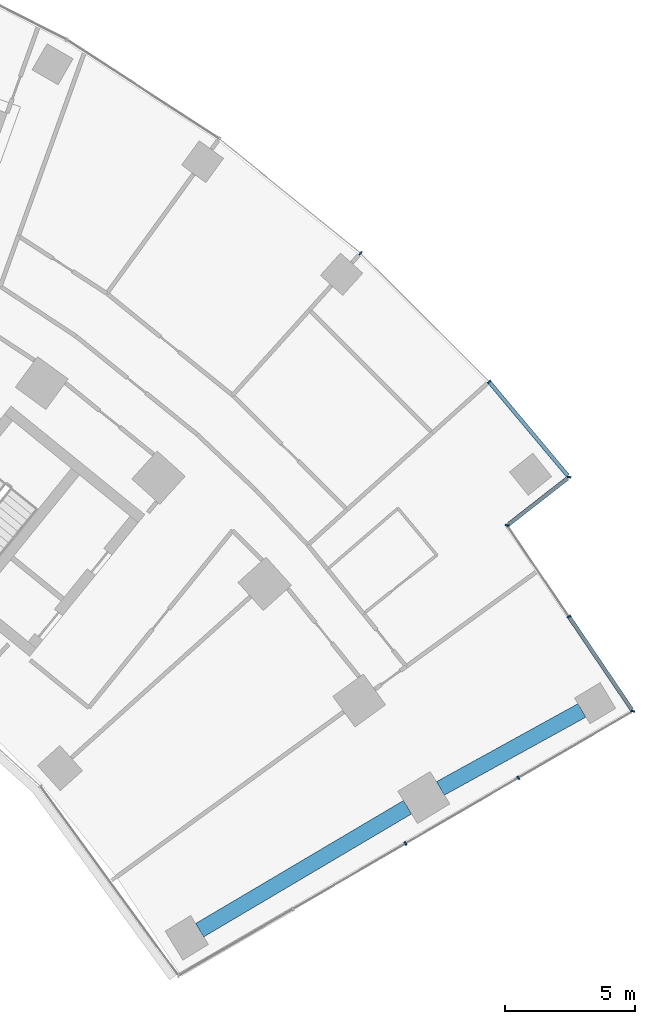
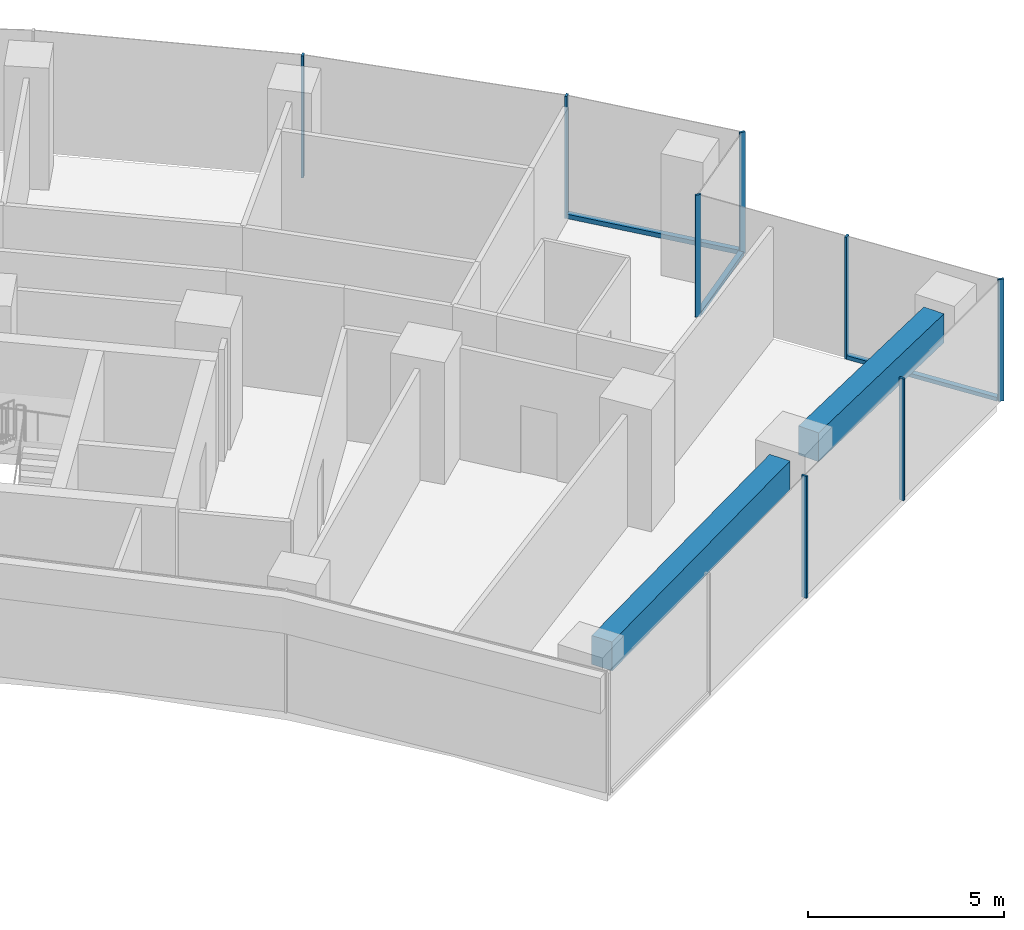
# One storey, part 8 of 20: 11 members, 2 beams, 4 elements without a shape of their own.
"""IFC4 building model written with IfcOpenShell, lengths in metres."""

from ifc_helpers import new_model, si_unit, direction, frame, origin, origin_2d, place, context, subcontext, project, spatial, rectangle, extrude, material, layer, layer_set, material_profile, profile_set, type_object, element, aggregate, save


model = new_model("IFC4")

# Units and contexts
model_context = context("Model", 3, precision=1e-05, world=origin(), true_north=direction((0.0, 1.0)))
body_context = subcontext(model_context, "Body", "Model", "MODEL_VIEW")
ifc_project = project(units=[si_unit("LENGTHUNIT", "METRE"), si_unit("AREAUNIT", "SQUARE_METRE"), si_unit("VOLUMEUNIT", "CUBIC_METRE"), si_unit("PLANEANGLEUNIT", "RADIAN"), si_unit("MASSUNIT", "GRAM", prefix="KILO")], contexts=[model_context])

# Site, building, storey
site_placement = place(None, origin())
site = spatial("IfcSite", under=ifc_project, at=site_placement, CompositionType="ELEMENT")
building_placement = place(site_placement, origin())
building = spatial("IfcBuilding", under=site, at=building_placement, Name="Stone Belt Terrace Tower", CompositionType="ELEMENT")
storey_placement = place(building_placement, frame((0.0, 0.0, 125.0)))
storey = spatial("IfcBuildingStorey", under=building, at=storey_placement, Name="L30", CompositionType="ELEMENT", Elevation=125.0)

# Curtain wall, members
ifc_material_1 = material(Name="Aluminium 6063-T6 anodised frame", Category="aluminium")
ifc_layer_1 = layer(ifc_material_1, 0.14990234375)
ifc_layer_set_1 = layer_set([ifc_layer_1], Name="CW-A unitised convex-face curtain wall")
curtain_wall_type_1 = type_object("IfcCurtainWallType", Name="CW-A unitised convex-face curtain wall", PredefinedType="NOTDEFINED", material=ifc_layer_set_1)
curtain_wall_1_placement = place(storey_placement, origin())
curtain_wall_1 = element("IfcCurtainWall", 1, at=curtain_wall_1_placement, inside=storey, type_object=curtain_wall_type_1, Name="CW-A convex face L30", PredefinedType="NOTDEFINED")
ifc_material_profile_1 = material_profile(ifc_material_1, rectangle(XDim=0.14990234375, YDim=0.06005859375, at=origin_2d()), Name="Aluminium 6063-T6 60x150")
ifc_profile_set_1 = profile_set([ifc_material_profile_1], Name="Aluminium 6063-T6 anodised frame")
member_type_1 = type_object("IfcMemberType", Name="CW-A mullion 60 x 150", PredefinedType="MULLION", material=ifc_profile_set_1)
member_1_placement = place(storey_placement, frame((52.539794921875, 40.89208984375, 0.0), z_axis=(0.0, 0.0, 1.0), x_axis=(-0.994464768622, 0.105070566623, 0.0)))
member_1 = element("IfcMember", 2, at=member_1_placement, type_object=member_type_1, Name="CW-A mullion 1", PredefinedType="MULLION", context=body_context, shape_type="SweptSolid", body=[
    extrude(rectangle(XDim=0.14990234375, YDim=0.06005859375, at=origin_2d()), origin(), (0.0, 0.0, 1.0), 3.800048828125),
])
member_2_placement = place(storey_placement, frame((49.474609375, 44.5478515625, 0.0), z_axis=(0.0, 0.0, 1.0), x_axis=(-0.737400080522, -0.675456231925, 0.0)))
member_2 = element("IfcMember", 3, at=member_2_placement, type_object=member_type_1, Name="CW-A mullion 2", PredefinedType="MULLION", context=body_context, shape_type="SweptSolid", body=[
    extrude(rectangle(XDim=0.14990234375, YDim=0.06005859375, at=origin_2d()), origin(), (0.0, 0.0, 1.0), 3.800048828125),
])
member_3_placement = place(storey_placement, frame((44.54736328125, 49.474853515625, 0.0), z_axis=(0.0, 0.0, 1.0), x_axis=(-0.669130606359, -0.743144825477, 0.0)))
member_3 = element("IfcMember", 4, at=member_3_placement, type_object=member_type_1, Name="CW-A mullion 3", PredefinedType="MULLION", context=body_context, shape_type="SweptSolid", body=[
    extrude(rectangle(XDim=0.14990234375, YDim=0.06005859375, at=origin_2d()), origin(), (0.0, 0.0, 1.0), 3.800048828125),
])
ifc_material_profile_2 = material_profile(ifc_material_1, rectangle(XDim=0.14990234375, YDim=0.139892578125, at=origin_2d()), Name="Aluminium 6063-T6 150x140")
ifc_profile_set_2 = profile_set([ifc_material_profile_2], Name="Aluminium 6063-T6 anodised frame")
member_type_2 = type_object("IfcMemberType", Name="CW-A transom 140 x 150", PredefinedType="USERDEFINED", material=ifc_profile_set_2)
member_4_placement = place(storey_placement, frame((52.49169921875, 40.949462890625, 0.070068359375), z_axis=(-0.642504178028, 0.766282181195, 0.0), x_axis=(-0.766282181195, -0.642504178028, 0.0)))
member_4 = element("IfcMember", 5, at=member_4_placement, type_object=member_type_2, Name="CW-A transom 1.1", ObjectType="TRANSOM", PredefinedType="USERDEFINED", context=body_context, shape_type="SweptSolid", body=[
    extrude(rectangle(XDim=0.14990234375, YDim=0.139892578125, at=origin_2d()), origin(), (0.0, 0.0, 1.0), 4.662841796875),
])
aggregate(curtain_wall_1, [member_1, member_2, member_3, member_4])

ifc_layer_2 = layer(ifc_material_1, 0.14990234375)
ifc_layer_set_2 = layer_set([ifc_layer_2], Name="CW-C stick curtain wall, horn ends and notches")
curtain_wall_type_2 = type_object("IfcCurtainWallType", Name="CW-C stick curtain wall, horn ends and notches", PredefinedType="NOTDEFINED", material=ifc_layer_set_2)
curtain_wall_2_placement = place(storey_placement, origin())
curtain_wall_2 = element("IfcCurtainWall", 6, at=curtain_wall_2_placement, inside=storey, type_object=curtain_wall_type_2, Name="CW-C end face L30", PredefinedType="NOTDEFINED")
ifc_material_profile_3 = material_profile(ifc_material_1, rectangle(XDim=0.14990234375, YDim=0.06005859375, at=origin_2d()), Name="Aluminium 6063-T6 60x150")
ifc_profile_set_3 = profile_set([ifc_material_profile_3], Name="Aluminium 6063-T6 anodised frame")
member_type_3 = type_object("IfcMemberType", Name="CW-C mullion 60 x 150", PredefinedType="MULLION", material=ifc_profile_set_3)
member_5_placement = place(storey_placement, frame((46.2744140625, 26.85009765625, 0.0), z_axis=(0.0, 0.0, 1.0), x_axis=(-0.503080901861, 0.864239322284, 0.0)))
member_5 = element("IfcMember", 7, at=member_5_placement, type_object=member_type_3, Name="CW-C mullion 3", PredefinedType="MULLION", context=body_context, shape_type="SweptSolid", body=[
    extrude(rectangle(XDim=0.14990234375, YDim=0.06005859375, at=origin_2d()), origin(), (0.0, 0.0, 1.0), 3.800048828125),
])
member_6_placement = place(storey_placement, frame((50.595703125, 29.365478515625, 0.0), z_axis=(0.0, 0.0, 1.0), x_axis=(-0.503080901861, 0.864239322284, 0.0)))
member_6 = element("IfcMember", 8, at=member_6_placement, type_object=member_type_3, Name="CW-C mullion 4", PredefinedType="MULLION", context=body_context, shape_type="SweptSolid", body=[
    extrude(rectangle(XDim=0.14990234375, YDim=0.06005859375, at=origin_2d()), origin(), (0.0, 0.0, 1.0), 3.800048828125),
])
aggregate(curtain_wall_2, [member_5, member_6])

curtain_wall_3_placement = place(storey_placement, origin())
curtain_wall_3 = element("IfcCurtainWall", 9, at=curtain_wall_3_placement, inside=storey, type_object=curtain_wall_type_2, Name="CW-C notch face L30", PredefinedType="NOTDEFINED")
member_7_placement = place(storey_placement, frame((54.986328125, 31.921142578125, 0.0), z_axis=(0.0, 0.0, 1.0), x_axis=(-0.974926991266, 0.222524968715, 0.0)))
member_7 = element("IfcMember", 10, at=member_7_placement, type_object=member_type_3, Name="CW-C mullion 1", PredefinedType="MULLION", context=body_context, shape_type="SweptSolid", body=[
    extrude(rectangle(XDim=0.14990234375, YDim=0.06005859375, at=origin_2d()), origin(), (0.0, 0.0, 1.0), 3.800048828125),
])
member_8_placement = place(storey_placement, frame((52.53515625, 35.5439453125, 0.0), z_axis=(0.0, 0.0, 1.0), x_axis=(-0.828244257471, -0.560367245622, 0.0)))
member_8 = element("IfcMember", 11, at=member_8_placement, type_object=member_type_3, Name="CW-C mullion 2", PredefinedType="MULLION", context=body_context, shape_type="SweptSolid", body=[
    extrude(rectangle(XDim=0.14990234375, YDim=0.06005859375, at=origin_2d()), origin(), (0.0, 0.0, 1.0), 3.800048828125),
])

# Curtain wall, member
curtain_wall_4_placement = place(storey_placement, origin())
curtain_wall_4 = element("IfcCurtainWall", 12, at=curtain_wall_4_placement, inside=storey, type_object=curtain_wall_type_2, Name="CW-C notch face L30", PredefinedType="NOTDEFINED")
member_9_placement = place(storey_placement, frame((50.16845703125, 39.0419921875, 0.0), z_axis=(0.0, 0.0, 1.0), x_axis=(-0.987742281651, 0.156093513764, 0.0)))
member_9 = element("IfcMember", 13, at=member_9_placement, type_object=member_type_3, Name="CW-C mullion 1", PredefinedType="MULLION", context=body_context, shape_type="SweptSolid", body=[
    extrude(rectangle(XDim=0.14990234375, YDim=0.06005859375, at=origin_2d()), origin(), (0.0, 0.0, 1.0), 3.800048828125),
])

# Member
ifc_material_profile_4 = material_profile(ifc_material_1, rectangle(XDim=0.14990234375, YDim=0.1201171875, at=origin_2d()), Name="Aluminium 6063-T6 150x120")
ifc_profile_set_4 = profile_set([ifc_material_profile_4], Name="Aluminium 6063-T6 anodised frame")
member_type_4 = type_object("IfcMemberType", Name="CW-C transom 120 x 150", PredefinedType="USERDEFINED", material=ifc_profile_set_4)
member_10_placement = place(storey_placement, frame((54.944091796875, 31.983642578125, 0.06005859375), z_axis=(-0.560388995766, 0.828229541507, 0.0), x_axis=(-0.828229541507, -0.560388995766, 0.0)))
member_10 = element("IfcMember", 14, at=member_10_placement, type_object=member_type_4, Name="CW-C transom 1.1", ObjectType="TRANSOM", PredefinedType="USERDEFINED", context=body_context, shape_type="SweptSolid", body=[
    extrude(rectangle(XDim=0.14990234375, YDim=0.1201171875, at=origin_2d()), origin(), (0.0, 0.0, 1.0), 4.2685546875),
])

aggregate(curtain_wall_3, [member_7, member_8, member_10])

member_11_placement = place(storey_placement, frame((50.22607421875, 39.087158203125, 0.06005859375), z_axis=(0.788505618167, 0.615027552325, 0.0), x_axis=(-0.615027552325, 0.788505618167, 0.0)))
member_11 = element("IfcMember", 15, at=member_11_placement, type_object=member_type_4, Name="CW-C transom 1.1", ObjectType="TRANSOM", PredefinedType="USERDEFINED", context=body_context, shape_type="SweptSolid", body=[
    extrude(rectangle(XDim=0.14990234375, YDim=0.1201171875, at=origin_2d()), origin(), (0.0, 0.0, 1.0), 2.859619140625),
])

aggregate(curtain_wall_4, [member_9, member_11])

# Beams
ifc_material_2 = material(Name="Concrete B60", Category="concrete")
ifc_material_profile_5 = material_profile(ifc_material_2, rectangle(XDim=0.60009765625, YDim=0.89990234375, at=origin_2d()), Name="RC 600x900")
ifc_profile_set_5 = profile_set([ifc_material_profile_5], Name="Concrete B60")
beam_type = type_object("IfcBeamType", Name="Edge beam RC 600x900 B60", PredefinedType="SPANDREL", material=ifc_profile_set_5)
beam_1_placement = place(storey_placement, frame((38.3828125, 23.52783203125, 3.030029296875), z_axis=(0.860646513691, 0.509202885372, 0.0), x_axis=(-0.509202885372, 0.860646513691, 0.0)))
element("IfcBeam", 16, at=beam_1_placement, inside=storey, type_object=beam_type, Name="Edge beam L30 B P to Q", PredefinedType="SPANDREL", context=body_context, shape_type="SweptSolid", body=[
    extrude(rectangle(XDim=0.60009765625, YDim=0.89990234375, at=origin_2d()), origin(), (0.0, 0.0, 1.0), 9.255859375),
])
beam_2_placement = place(storey_placement, frame((47.6083984375, 28.960693359375, 3.030029296875), z_axis=(0.875764462498, 0.482738652094, 0.0), x_axis=(-0.482738652094, 0.875764462498, 0.0)))
element("IfcBeam", 17, at=beam_2_placement, inside=storey, type_object=beam_type, Name="Edge beam L30 B Q to R", PredefinedType="SPANDREL", context=body_context, shape_type="SweptSolid", body=[
    extrude(rectangle(XDim=0.60009765625, YDim=0.89990234375, at=origin_2d()), origin(), (0.0, 0.0, 1.0), 6.19384765625),
])

save(model, "model.ifc")
